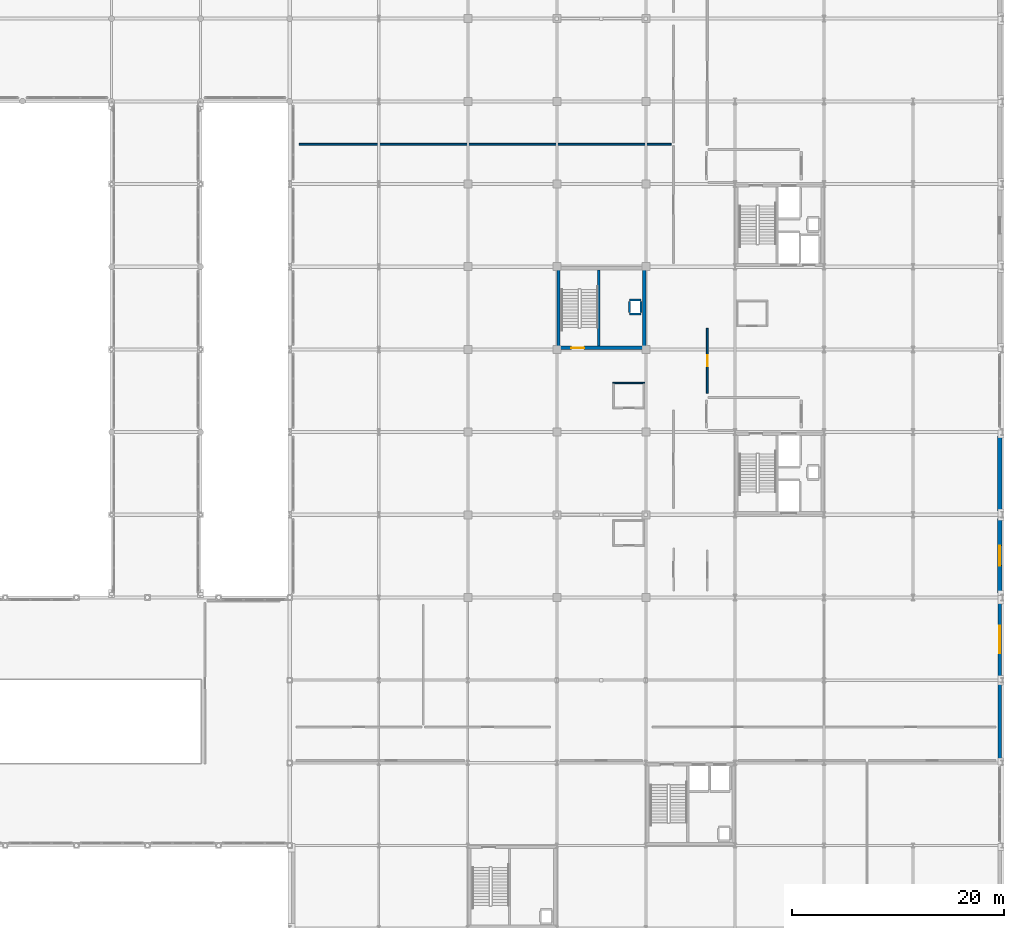
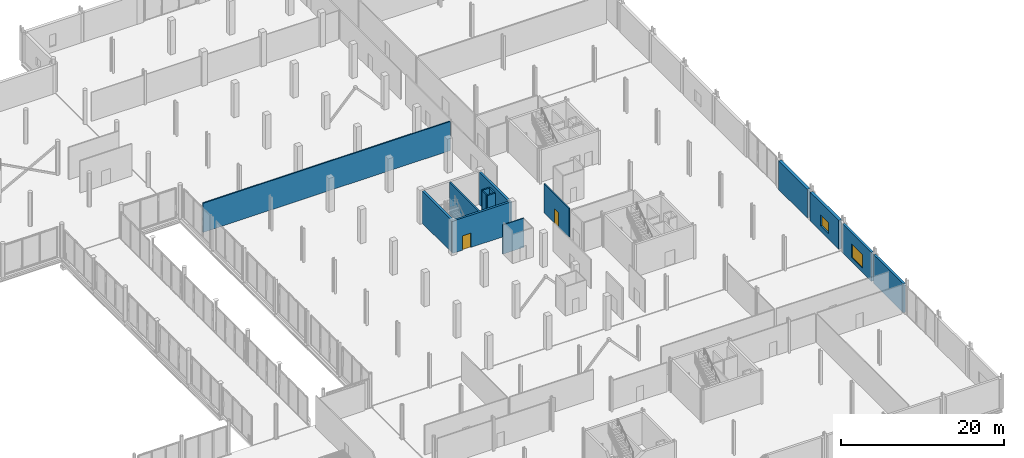
# One storey, part 82 of 105: 15 walls, 2 doors, 2 windows, 4 openings.
"""IFC4 building model written with IfcOpenShell, lengths in metres."""

from ifc_helpers import new_model, si_unit, direction, frame, frame_2d, origin, place, context, subcontext, project, spatial, rectangle, extrude, material, layer, layer_set, type_object, element, fill, save


model = new_model("IFC4")

# Units and contexts
model_context = context("Model", 3, precision=1e-05, world=origin(), true_north=direction((0.0, 1.0)))
body_context = subcontext(model_context, "Body", "Model", "MODEL_VIEW")
ifc_project = project(units=[si_unit("LENGTHUNIT", "METRE"), si_unit("AREAUNIT", "SQUARE_METRE"), si_unit("VOLUMEUNIT", "CUBIC_METRE"), si_unit("PLANEANGLEUNIT", "RADIAN"), si_unit("MASSUNIT", "GRAM", prefix="KILO")], contexts=[model_context])

# Site, building, storey
site_placement = place(None, origin())
site = spatial("IfcSite", under=ifc_project, at=site_placement, CompositionType="ELEMENT")
building_placement = place(site_placement, origin())
building = spatial("IfcBuilding", under=site, at=building_placement, Name="Nabrawat Pavilion Hospital", CompositionType="ELEMENT")
storey_placement = place(building_placement, frame((0.0, 0.0, 5.10009765625)))
storey = spatial("IfcBuildingStorey", under=building, at=storey_placement, Name="L01", CompositionType="ELEMENT", Elevation=5.10009765625)

# Wall, opening, door
ifc_material_1 = material(Name="Gypsum Fireboard on Steel Stud", Category="steel")
ifc_layer_1 = layer(ifc_material_1, 0.14990234375, Name="Gypsum Fireboard on Steel Stud")
ifc_layer_set_1 = layer_set([ifc_layer_1], Name="Gypsum Fireboard on Steel Stud")
wall_type_1 = type_object("IfcWallType", Name="Clinical Corridor Smoke-Barrier Wall 150", PredefinedType="PARTITIONING", material=ifc_layer_set_1)
wall_1_placement = place(storey_placement, frame((165.389892578125, 58.25, 0.0), z_axis=(0.0, 0.0, 1.0), x_axis=(0.0, 1.0, 0.0)))
wall_1 = element("IfcWall", 1, at=wall_1_placement, inside=storey, type_object=wall_type_1, Name="L01 Labour Delivery and Recovery Birthing Suite L01-08 Front Partition", PredefinedType="PARTITIONING", context=body_context, shape_type="SweptSolid", body=[
    extrude(rectangle(XDim=6.139892578125, YDim=0.14990234375, at=frame_2d((3.06982421875, 0.0))), origin(), (0.0, 0.0, 1.0), 4.329833984375),
])
opening_1_placement = place(wall_1_placement, frame((2.544921875, 0.0, 0.0)))
opening_1 = element("IfcOpeningElement", 2, at=opening_1_placement, cuts=wall_1, Name="Opening D-OPC-L", PredefinedType="OPENING", context=body_context, shape_type="SweptSolid", body=[
    extrude(rectangle(XDim=1.050048828125, YDim=2.14990234375, at=frame_2d((0.52490234375, 1.074951171875))), frame((0.0, 0.0849609375, 0.0), z_axis=(0.0, -1.0, 0.0), x_axis=(1.0, 0.0, 0.0)), (0.0, 0.0, 1.0), 0.169921875),
])
ifc_material_2 = material(Name="Stainless-Clad Acoustic Timber and Vision Glass", Category="wood")
door_type_1 = type_object("IfcDoorType", Name="Outpatient Clinic Consultation Door L 1050x2150", OperationType="NOTDEFINED", PredefinedType="DOOR", material=ifc_material_2)
door_1_placement = place(opening_1_placement, origin())
door_1 = element("IfcDoor", 3, at=door_1_placement, inside=storey, type_object=door_type_1, Name="Labour Delivery and Recovery Birthing Suite L01-08 Door", OperationType="SINGLE_SWING_RIGHT", OverallHeight=2.14990234375, OverallWidth=1.050048828125, PredefinedType="DOOR", context=body_context, shape_type="SweptSolid", body=[
    extrude(rectangle(XDim=1.050048828125, YDim=2.14990234375, at=frame_2d((0.52490234375, 1.074951171875))), frame((0.0, 0.02490234375, 0.0), z_axis=(0.0, -1.0, 0.0), x_axis=(1.0, 0.0, 0.0)), (0.0, 0.0, 1.0), 0.050048828125),
])
fill(opening_1, door_1)

# Walls
ifc_material_3 = material(Name="Acoustic Gypsum on Twin Stud", Category="gypsum")
ifc_layer_2 = layer(ifc_material_3, 0.179931640625, Name="Acoustic Gypsum on Twin Stud")
ifc_layer_set_2 = layer_set([ifc_layer_2], Name="Acoustic Gypsum on Twin Stud")
wall_type_2 = type_object("IfcWallType", Name="Critical Care Acoustic Glazed Partition 180", PredefinedType="PARTITIONING", material=ifc_layer_set_2)
wall_2_placement = place(storey_placement, frame((126.889892578125, 81.75, 0.0), z_axis=(0.0, 0.0, 1.0), x_axis=(1.0, 0.0, 0.0)))
element("IfcWall", 4, at=wall_2_placement, inside=storey, type_object=wall_type_2, Name="L01 Intensive Care Pod Neonatal NICU L01-03 Dividing Partition", PredefinedType="PARTITIONING", context=body_context, shape_type="SweptSolid", body=[
    extrude(rectangle(XDim=35.10009765625, YDim=0.179931640625, at=frame_2d((17.550048828125, 0.0))), origin(), (0.0, 0.0, 1.0), 4.3798828125),
])
ifc_material_4 = material(Name="Precast concrete C40/50", Category="concrete")
ifc_layer_3 = layer(ifc_material_4, 0.320068359375, Name="Precast concrete C40/50")
ifc_layer_set_3 = layer_set([ifc_layer_3], Name="Precast concrete C40/50")
wall_type_3 = type_object("IfcWallType", Name="Deep-Reveal Precast Facade Wall 320", PredefinedType="SOLIDWALL", material=ifc_layer_set_3)
wall_3_placement = place(storey_placement, frame((192.97998046875, 23.675048828125, 0.0), z_axis=(0.0, 0.0, 1.0), x_axis=(0.0, 1.0, 0.0)))
element("IfcWall", 5, at=wall_3_placement, inside=storey, type_object=wall_type_3, Name="L01 Deep-Reveal Precast Facade Wall 320 223", PredefinedType="SOLIDWALL", context=body_context, shape_type="SweptSolid", body=[
    extrude(rectangle(XDim=7.25, YDim=0.320068359375, at=frame_2d((3.625, 0.0))), origin(), (0.0, 0.0, 1.0), 4.349853515625),
])

# Wall, opening, window
wall_4_placement = place(storey_placement, frame((192.97998046875, 31.47509765625, 0.0), z_axis=(0.0, 0.0, 1.0), x_axis=(0.0, 1.0, 0.0)))
wall_4 = element("IfcWall", 6, at=wall_4_placement, inside=storey, type_object=wall_type_3, Name="L01 Deep-Reveal Precast Facade Wall 320 224", PredefinedType="SOLIDWALL", context=body_context, shape_type="SweptSolid", body=[
    extrude(rectangle(XDim=7.0849609375, YDim=0.320068359375, at=frame_2d((3.54248046875, 0.0))), origin(), (0.0, 0.0, 1.0), 4.349853515625),
])
opening_2_placement = place(wall_4_placement, frame((2.242431640625, 0.0, 0.64990234375)))
opening_2 = element("IfcOpeningElement", 7, at=opening_2_placement, cuts=wall_4, Name="Opening WN-22", PredefinedType="OPENING", context=body_context, shape_type="SweptSolid", body=[
    extrude(rectangle(XDim=2.60009765625, YDim=2.0, at=frame_2d((1.300048828125, 1.0))), frame((0.0, 0.169921875, 0.0), z_axis=(0.0, -1.0, 0.0), x_axis=(1.0, 0.0, 0.0)), (0.0, 0.0, 1.0), 0.340087890625),
])
ifc_material_5 = material(Name="Thermally Broken Aluminium and Solar Glass", Category="aluminium")
window_type_1 = type_object("IfcWindowType", Name="Rehabilitation Gym Tall Window 2600x2000", PartitioningType="SINGLE_PANEL", PredefinedType="WINDOW", material=ifc_material_5)
window_1_placement = place(opening_2_placement, origin())
window_1 = element("IfcWindow", 8, at=window_1_placement, inside=storey, type_object=window_type_1, Name="L01 Rehabilitation Gym Tall Window 2600x2000 086", OverallHeight=2.0, OverallWidth=2.60009765625, PartitioningType="SINGLE_PANEL", PredefinedType="WINDOW", context=body_context, shape_type="SweptSolid", body=[
    extrude(rectangle(XDim=2.60009765625, YDim=2.0, at=frame_2d((1.300048828125, 1.0))), frame((0.0, 0.030029296875, 0.0), z_axis=(0.0, -1.0, 0.0), x_axis=(1.0, 0.0, 0.0)), (0.0, 0.0, 1.0), 0.06005859375),
])
fill(opening_2, window_1)

ifc_layer_4 = layer(ifc_material_4, 0.419921875, Name="Precast concrete C40/50")
ifc_layer_set_4 = layer_set([ifc_layer_4], Name="Precast concrete C40/50")
wall_type_4 = type_object("IfcWallType", Name="Diagnostic Shielded Precast Facade Wall 420", PredefinedType="SOLIDWALL", material=ifc_layer_set_4)
wall_5_placement = place(storey_placement, frame((192.97998046875, 39.43994140625, 0.0), z_axis=(0.0, 0.0, 1.0), x_axis=(0.0, 1.0, 0.0)))
wall_5 = element("IfcWall", 9, at=wall_5_placement, inside=storey, type_object=wall_type_4, Name="L01 Diagnostic Shielded Precast Facade Wall 420 225", PredefinedType="SOLIDWALL", context=body_context, shape_type="SweptSolid", body=[
    extrude(rectangle(XDim=7.010009765625, YDim=0.419921875, at=frame_2d((3.5048828125, 0.0))), origin(), (0.0, 0.0, 1.0), 4.329833984375),
])
opening_3_placement = place(wall_5_placement, frame((2.554931640625, 0.0, 0.85009765625)))
opening_3 = element("IfcOpeningElement", 10, at=opening_3_placement, cuts=wall_5, Name="Opening WN-23", PredefinedType="OPENING", context=body_context, shape_type="SweptSolid", body=[
    extrude(rectangle(XDim=1.89990234375, YDim=1.64990234375, at=frame_2d((0.949951171875, 0.824951171875))), frame((0.0, 0.219970703125, 0.0), z_axis=(0.0, -1.0, 0.0), x_axis=(1.0, 0.0, 0.0)), (0.0, 0.0, 1.0), 0.43994140625),
])
window_type_2 = type_object("IfcWindowType", Name="Dialysis Bay Garden Window 1900x1650", PartitioningType="SINGLE_PANEL", PredefinedType="WINDOW", material=ifc_material_5)
window_2_placement = place(opening_3_placement, origin())
window_2 = element("IfcWindow", 11, at=window_2_placement, inside=storey, type_object=window_type_2, Name="L01 Dialysis Bay Garden Window 1900x1650 087", OverallHeight=1.64990234375, OverallWidth=1.89990234375, PartitioningType="SINGLE_PANEL", PredefinedType="WINDOW", context=body_context, shape_type="SweptSolid", body=[
    extrude(rectangle(XDim=1.89990234375, YDim=1.64990234375, at=frame_2d((0.949951171875, 0.824951171875))), frame((0.0, 0.030029296875, 0.0), z_axis=(0.0, -1.0, 0.0), x_axis=(1.0, 0.0, 0.0)), (0.0, 0.0, 1.0), 0.06005859375),
])
fill(opening_3, window_2)

# Walls
wall_6_placement = place(storey_placement, frame((192.97998046875, 47.14990234375, 0.0), z_axis=(0.0, 0.0, 1.0), x_axis=(0.0, 1.0, 0.0)))
element("IfcWall", 12, at=wall_6_placement, inside=storey, type_object=wall_type_4, Name="L01 Diagnostic Shielded Precast Facade Wall 420 226", PredefinedType="SOLIDWALL", context=body_context, shape_type="SweptSolid", body=[
    extrude(rectangle(XDim=7.10009765625, YDim=0.419921875, at=frame_2d((3.550048828125, 0.0))), origin(), (0.0, 0.0, 1.0), 4.329833984375),
])
ifc_material_6 = material(Name="Cement Board on Steel Stud", Category="steel")
ifc_layer_5 = layer(ifc_material_6, 0.1298828125, Name="Cement Board on Steel Stud")
ifc_layer_set_5 = layer_set([ifc_layer_5], Name="Cement Board on Steel Stud")
wall_type_5 = type_object("IfcWallType", Name="En-Suite Moisture-Resistant Partition 130", PredefinedType="PARTITIONING", material=ifc_layer_set_5)
wall_7_placement = place(storey_placement, frame((156.4951171875, 59.22998046875, 0.0), z_axis=(0.0, 0.0, 1.0), x_axis=(1.0, 0.0, 0.0)))
element("IfcWall", 13, at=wall_7_placement, inside=storey, type_object=wall_type_5, Name="L01 En-Suite Bathroom LDR-01-02 North Partition", PredefinedType="PARTITIONING", context=body_context, shape_type="SweptSolid", body=[
    extrude(rectangle(XDim=2.97998046875, YDim=0.1298828125, at=frame_2d((1.489990234375, 0.0))), origin(), (0.0, 0.0, 1.0), 4.3798828125),
])
ifc_material_7 = material(Name="Concrete C35/45", Category="concrete")
ifc_layer_6 = layer(ifc_material_7, 0.199951171875, Name="Concrete C35/45")
ifc_layer_set_6 = layer_set([ifc_layer_6], Name="Concrete C35/45")
wall_type_6 = type_object("IfcWallType", Name="Lift and Riser Fire Shaft Wall 200", PredefinedType="PARTITIONING", material=ifc_layer_set_6)
wall_8_placement = place(storey_placement, frame((155.14990234375, 62.719970703125, 0.0), z_axis=(0.0, 0.0, 1.0), x_axis=(0.0, 1.0, 0.0)))
element("IfcWall", 14, at=wall_8_placement, inside=storey, type_object=wall_type_6, Name="L01 CORE-9 Stair-Lift Dividing Shear Wall", PredefinedType="SHEAR", context=body_context, shape_type="SweptSolid", body=[
    extrude(rectangle(XDim=7.159912109375, YDim=0.199951171875, at=frame_2d((3.580078125, 0.0))), origin(), (0.0, 0.0, 1.0), 4.849853515625),
])
for number, where, z_axis, x_axis, name in (
    (15, (158.050048828125, 65.75, 0.0), (0.0, 0.0, 1.0), (1.0, 0.0, 0.0), "L01 CORE-9 MEP Riser Shaft Wall S"),
    (16, (158.050048828125, 67.050048828125, 0.0), (0.0, 0.0, 1.0), (1.0, 0.0, 0.0), "L01 CORE-9 MEP Riser Shaft Wall N"),
):
    element("IfcWall", number, at=place(storey_placement, frame(where, z_axis=z_axis, x_axis=x_axis)), inside=storey, type_object=wall_type_6, Name=name, PredefinedType="PARTITIONING", context=body_context, shape_type="SweptSolid", body=[
        extrude(rectangle(XDim=1.099853515625, YDim=0.199951171875, at=frame_2d((0.5498046875, 0.0))), origin(), (0.0, 0.0, 1.0), 4.329833984375),
    ])
for number, where, z_axis, x_axis, name in (
    (17, (158.050048828125, 65.8701171875, 0.0), (0.0, 0.0, 1.0), (0.0, 1.0, 0.0), "L01 CORE-9 MEP Riser Shaft Wall W"),
    (18, (159.14990234375, 65.8701171875, 0.0), (0.0, 0.0, 1.0), (0.0, 1.0, 0.0), "L01 CORE-9 MEP Riser Shaft Wall E"),
):
    element("IfcWall", number, at=place(storey_placement, frame(where, z_axis=z_axis, x_axis=x_axis)), inside=storey, type_object=wall_type_6, Name=name, PredefinedType="PARTITIONING", context=body_context, shape_type="SweptSolid", body=[
        extrude(rectangle(XDim=1.059814453125, YDim=0.199951171875, at=frame_2d((0.52978515625, 0.0))), origin(), (0.0, 0.0, 1.0), 4.329833984375),
    ])

# Wall, opening, door
ifc_material_8 = material(Name="Concrete C40/50", Category="concrete")
ifc_layer_7 = layer(ifc_material_8, 0.300048828125, Name="Concrete C40/50")
ifc_layer_set_7 = layer_set([ifc_layer_7], Name="Concrete C40/50")
wall_type_7 = type_object("IfcWallType", Name="Reinforced Concrete Core Shear Wall 300", PredefinedType="SHEAR", material=ifc_layer_set_7)
wall_9_placement = place(storey_placement, frame((151.199951171875, 62.550048828125, 0.0), z_axis=(0.0, 0.0, 1.0), x_axis=(1.0, 0.0, 0.0)))
wall_9 = element("IfcWall", 19, at=wall_9_placement, inside=storey, type_object=wall_type_7, Name="L01 CORE-9 South Core Shear Wall", PredefinedType="SHEAR", context=body_context, shape_type="SweptSolid", body=[
    extrude(rectangle(XDim=8.400146484375, YDim=0.300048828125, at=frame_2d((4.2001953125, 0.0))), origin(), (0.0, 0.0, 1.0), 4.849853515625),
])
opening_4_placement = place(wall_9_placement, frame((1.3798828125, 0.0, 0.0)))
opening_4 = element("IfcOpeningElement", 20, at=opening_4_placement, cuts=wall_9, Name="Opening D-STAIR", PredefinedType="OPENING", context=body_context, shape_type="SweptSolid", body=[
    extrude(rectangle(XDim=1.199951171875, YDim=2.14990234375, at=frame_2d((0.60009765625, 1.074951171875))), frame((0.0, 0.16015625, 0.0), z_axis=(0.0, -1.0, 0.0), x_axis=(1.0, 0.0, 0.0)), (0.0, 0.0, 1.0), 0.320068359375),
])
door_type_2 = type_object("IfcDoorType", Name="D-STAIR Exit Stair Fire Door 1200x2150", OperationType="NOTDEFINED", PredefinedType="DOOR", material=ifc_material_2)
door_2_placement = place(opening_4_placement, origin())
door_2 = element("IfcDoor", 21, at=door_2_placement, inside=storey, type_object=door_type_2, Name="L01 ST-09 Fire Exit Stair Door", OperationType="SINGLE_SWING_RIGHT", OverallHeight=2.14990234375, OverallWidth=1.199951171875, PredefinedType="DOOR", context=body_context, shape_type="SweptSolid", body=[
    extrude(rectangle(XDim=1.199951171875, YDim=2.14990234375, at=frame_2d((0.60009765625, 1.074951171875))), frame((0.0, 0.02490234375, 0.0), z_axis=(0.0, -1.0, 0.0), x_axis=(1.0, 0.0, 0.0)), (0.0, 0.0, 1.0), 0.050048828125),
])
fill(opening_4, door_2)

# Walls
for number, where, z_axis, x_axis, name in (
    (22, (151.35009765625, 62.699951171875, 0.0), (0.0, 0.0, 1.0), (0.0, 1.0, 0.0), "L01 CORE-9 West Core Shear Wall"),
    (23, (159.449951171875, 62.699951171875, 0.0), (0.0, 0.0, 1.0), (0.0, 1.0, 0.0), "L01 CORE-9 East Core Shear Wall"),
):
    element("IfcWall", number, at=place(storey_placement, frame(where, z_axis=z_axis, x_axis=x_axis)), inside=storey, type_object=wall_type_7, Name=name, PredefinedType="SHEAR", context=body_context, shape_type="SweptSolid", body=[
        extrude(rectangle(XDim=7.199951171875, YDim=0.300048828125, at=frame_2d((3.60009765625, 0.0))), origin(), (0.0, 0.0, 1.0), 4.849853515625),
    ])

save(model, "model.ifc")
